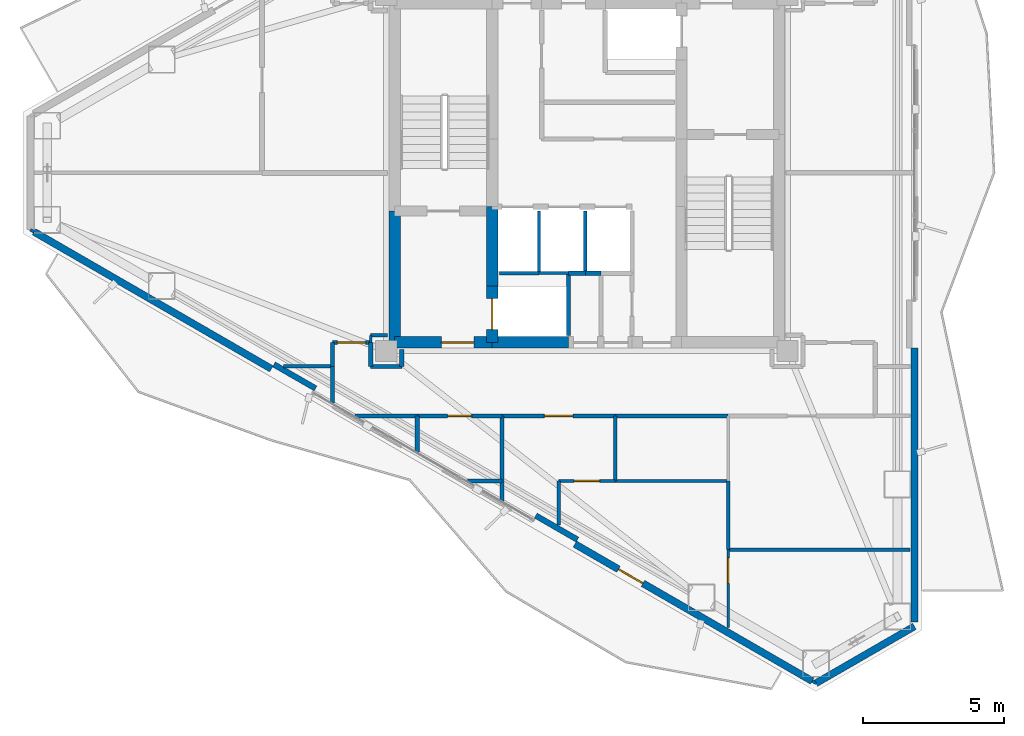
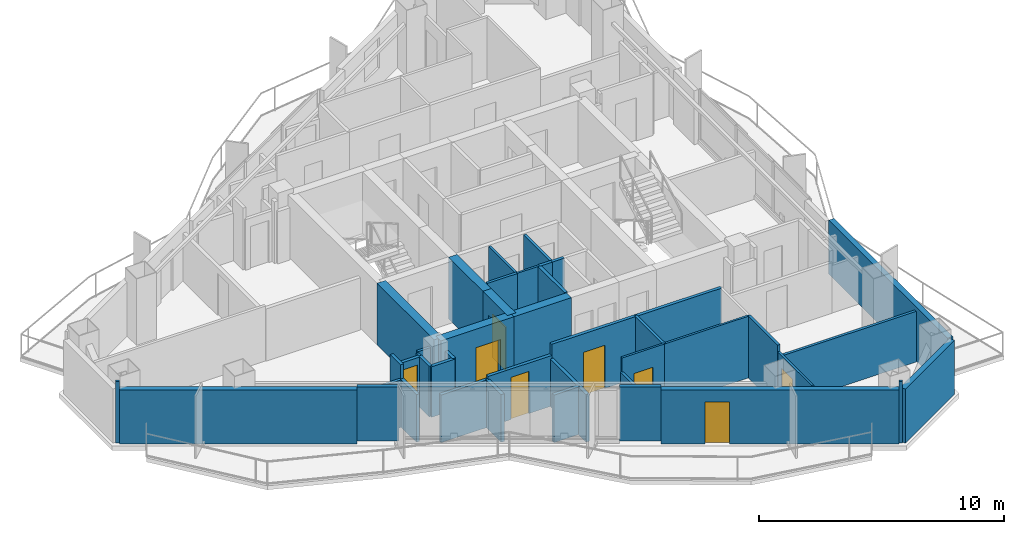
# One storey, part 16 of 21: 43 walls, 8 doors, 8 openings.
"""IFC4 building model written with IfcOpenShell, lengths in metres."""

from ifc_helpers import new_model, si_unit, direction, frame, frame_2d, origin, place, context, subcontext, project, spatial, rectangle, extrude, material, layer, layer_set, type_object, element, fill, save


model = new_model("IFC4")

# Units and contexts
model_context = context("Model", 3, precision=1e-05, world=origin(), true_north=direction((0.0, 1.0)))
body_context = subcontext(model_context, "Body", "Model", "MODEL_VIEW")
ifc_project = project(units=[si_unit("LENGTHUNIT", "METRE"), si_unit("AREAUNIT", "SQUARE_METRE"), si_unit("VOLUMEUNIT", "CUBIC_METRE"), si_unit("PLANEANGLEUNIT", "RADIAN"), si_unit("MASSUNIT", "GRAM", prefix="KILO")], contexts=[model_context])

# Site, building, storey
site_placement = place(None, origin())
site = spatial("IfcSite", under=ifc_project, at=site_placement, CompositionType="ELEMENT")
building_placement = place(site_placement, origin())
building = spatial("IfcBuilding", under=site, at=building_placement, Name="Mersakhor Tower and Convention Hall", CompositionType="ELEMENT")
storey_placement = place(building_placement, frame((0.0, 0.0, 178.800048828125)))
storey = spatial("IfcBuildingStorey", under=building, at=storey_placement, Name="L49", CompositionType="ELEMENT", Elevation=178.800048828125)

# Walls
ifc_material_1 = material(Name="Precast concrete C40/50", Category="concrete")
ifc_layer_1 = layer(ifc_material_1, 0.25)
ifc_layer_set_1 = layer_set([ifc_layer_1], Name="Precast concrete C40/50")
wall_type_1 = type_object("IfcWallType", Name="WL-EXT-250", PredefinedType="SOLIDWALL", material=ifc_layer_set_1)
wall_1_placement = place(storey_placement, frame((40.58837890625, 10.70166015625, 0.0), z_axis=(0.0, 0.0, 1.0), x_axis=(-0.866023907196, -0.500002592159, 0.0)))
element("IfcWall", 1, at=wall_1_placement, inside=storey, type_object=wall_type_1, Name="L49 Chamfer Braced Spandrel Wall C2", PredefinedType="SOLIDWALL", context=body_context, shape_type="SweptSolid", body=[
    extrude(rectangle(XDim=4.0234375, YDim=0.25, at=frame_2d((2.01171875, 0.0))), origin(), (0.0, 0.0, 1.0), 2.68994140625),
])
wall_2_placement = place(storey_placement, frame((40.58837890625, 20.550537109375, 0.0), z_axis=(0.0, 0.0, 1.0), x_axis=(0.0, -1.0, 0.0)))
element("IfcWall", 2, at=wall_2_placement, inside=storey, type_object=wall_type_1, Name="L49 Exterior Facade Wall F2-B3", PredefinedType="SOLIDWALL", context=body_context, shape_type="SweptSolid", body=[
    extrude(rectangle(XDim=9.698974609375, YDim=0.25, at=frame_2d((4.849609375, 0.0))), origin(), (0.0, 0.0, 1.0), 2.68994140625),
])

# Wall, opening, door
wall_3_placement = place(storey_placement, frame((36.97412109375, 8.764892578125, 0.0), z_axis=(0.0, 0.0, 1.0), x_axis=(-0.866016233231, 0.500015883528, 0.0)))
wall_3 = element("IfcWall", 3, at=wall_3_placement, inside=storey, type_object=wall_type_1, Name="L49 Exterior Facade Wall F3-B1", PredefinedType="SOLIDWALL", context=body_context, shape_type="SweptSolid", body=[
    extrude(rectangle(XDim=9.698974609375, YDim=0.25, at=frame_2d((4.849609375, 0.0))), origin(), (0.0, 0.0, 1.0), 2.68994140625),
])
opening_1_placement = place(wall_3_placement, frame((6.9189453125, 0.0, 0.0)))
opening_1 = element("IfcOpeningElement", 4, at=opening_1_placement, cuts=wall_3, Name="Opening BD-01", PredefinedType="OPENING", context=body_context, shape_type="SweptSolid", body=[
    extrude(rectangle(XDim=1.0, YDim=2.10009765625, at=frame_2d((0.5, 1.050048828125))), frame((0.0, 0.135009765625, 0.0), z_axis=(0.0, -1.0, 0.0), x_axis=(1.0, 0.0, 0.0)), (0.0, 0.0, 1.0), 0.27001953125),
])
ifc_material_2 = material(Name="Thermally broken dark aluminium and safety glass", Category="aluminium")
door_type_1 = type_object("IfcDoorType", Name="DR-BAL-100x210", OperationType="NOTDEFINED", PredefinedType="DOOR", material=ifc_material_2)
door_1_placement = place(opening_1_placement, origin())
door_1 = element("IfcDoor", 5, at=door_1_placement, inside=storey, type_object=door_type_1, Name="L49 Balcony Terrace Door F3-B1", OperationType="SINGLE_SWING_LEFT", OverallHeight=2.10009765625, OverallWidth=1.0, PredefinedType="DOOR", context=body_context, shape_type="SweptSolid", body=[
    extrude(rectangle(XDim=1.0, YDim=2.10009765625, at=frame_2d((0.5, 1.050048828125))), frame((0.0, 0.02490234375, 0.0), z_axis=(0.0, -1.0, 0.0), x_axis=(1.0, 0.0, 0.0)), (0.0, 0.0, 1.0), 0.050048828125),
])
fill(opening_1, door_1)

# Walls
wall_4_placement = place(storey_placement, frame((17.8369140625, 19.81396484375, 0.0), z_axis=(0.0, 0.0, 1.0), x_axis=(-0.866027133173, 0.499997004599, 0.0)))
element("IfcWall", 6, at=wall_4_placement, inside=storey, type_object=wall_type_1, Name="L49 Exterior Facade Wall F3-B3", PredefinedType="SOLIDWALL", context=body_context, shape_type="SweptSolid", body=[
    extrude(rectangle(XDim=9.69873046875, YDim=0.25, at=frame_2d((4.849365234375, 0.0))), origin(), (0.0, 0.0, 1.0), 2.68994140625),
])
ifc_material_3 = material(Name="Precast concrete C40/50", Category="concrete")
ifc_layer_2 = layer(ifc_material_3, 0.199951171875)
ifc_layer_set_2 = layer_set([ifc_layer_2], Name="Precast concrete C40/50")
wall_type_2 = type_object("IfcWallType", Name="WL-PAR-200", PredefinedType="PARAPET", material=ifc_layer_set_2)
wall_5_placement = place(storey_placement, frame((28.664794921875, 13.770263671875, 0.0), z_axis=(0.0, 0.0, 1.0), x_axis=(-0.866025371046, 0.500000056704, 0.0)))
element("IfcWall", 7, at=wall_5_placement, inside=storey, type_object=wall_type_2, Name="L49 Column Pier Cladding Wall F3-C1", PredefinedType="PARAPET", context=body_context, shape_type="SweptSolid", body=[
    extrude(rectangle(XDim=1.7001953125, YDim=0.199951171875, at=frame_2d((0.85009765625, 0.0))), origin(), (0.0, 0.0, 1.0), 2.68994140625),
])
wall_6_placement = place(storey_placement, frame((19.399169921875, 19.119873046875, 0.0), z_axis=(0.0, 0.0, 1.0), x_axis=(-0.86605165483, 0.499954529098, 0.0)))
element("IfcWall", 8, at=wall_6_placement, inside=storey, type_object=wall_type_2, Name="L49 Column Pier Cladding Wall F3-C2", PredefinedType="PARAPET", context=body_context, shape_type="SweptSolid", body=[
    extrude(rectangle(XDim=1.699951171875, YDim=0.199951171875, at=frame_2d((0.85009765625, 0.0))), origin(), (0.0, 0.0, 1.0), 2.68994140625),
])
ifc_material_4 = material(Name="Lightweight gypsum partition", Category="other")
ifc_layer_3 = layer(ifc_material_4, 0.10009765625)
ifc_layer_set_3 = layer_set([ifc_layer_3], Name="Lightweight gypsum partition")
wall_type_3 = type_object("IfcWallType", Name="WL-PRT-100", PredefinedType="PARTITIONING", material=ifc_layer_set_3)
wall_7_placement = place(storey_placement, frame((27.300048828125, 23.199951171875, 0.0), z_axis=(0.0, 0.0, 1.0), x_axis=(1.0, 0.0, 0.0)))
element("IfcWall", 9, at=wall_7_placement, inside=storey, type_object=wall_type_3, Name="L49 Interior Partition Wall P-002", PredefinedType="PARTITIONING", context=body_context, shape_type="SweptSolid", body=[
    extrude(rectangle(XDim=1.050048828125, YDim=0.10009765625, at=frame_2d((0.52490234375, 0.0))), origin(), (0.0, 0.0, 1.0), 3.070068359375),
])
wall_8_placement = place(storey_placement, frame((27.300048828125, 25.39990234375, 0.0), z_axis=(0.0, 0.0, 1.0), x_axis=(0.0, -1.0, 0.0)))
element("IfcWall", 10, at=wall_8_placement, inside=storey, type_object=wall_type_3, Name="L49 Interior Partition Wall P-006", PredefinedType="PARTITIONING", context=body_context, shape_type="SweptSolid", body=[
    extrude(rectangle(XDim=2.199951171875, YDim=0.10009765625, at=frame_2d((1.10009765625, 0.0))), origin(), (0.0, 0.0, 1.0), 3.070068359375),
])
wall_9_placement = place(storey_placement, frame((21.35009765625, 21.0, 0.0), z_axis=(0.0, 0.0, 1.0), x_axis=(0.0, -1.0, 0.0)))
element("IfcWall", 11, at=wall_9_placement, inside=storey, type_object=wall_type_3, Name="L49 Interior Partition Wall P-060", PredefinedType="PARTITIONING", context=body_context, shape_type="SweptSolid", body=[
    extrude(rectangle(XDim=0.25, YDim=0.10009765625, at=frame_2d((0.125, 0.0))), origin(), (0.0, 0.0, 1.0), 2.518310546875),
])
wall_10_placement = place(storey_placement, frame((9.437255859375, 24.662841796875, 0.0), z_axis=(0.0, 0.0, 1.0), x_axis=(-0.866239593359, 0.499628829129, 0.0)))
element("IfcWall", 12, at=wall_10_placement, inside=storey, type_object=wall_type_3, Name="L49 Interior Partition Wall P-062", PredefinedType="PARTITIONING", context=body_context, shape_type="SweptSolid", body=[
    extrude(rectangle(XDim=0.150390625, YDim=0.10009765625, at=frame_2d((0.0751953125, 0.0))), origin(), (0.0, 0.0, 1.0), 3.070068359375),
])

# Wall, opening, door
wall_11_placement = place(storey_placement, frame((30.0, 15.85009765625, 0.0), z_axis=(0.0, 0.0, 1.0), x_axis=(-1.0, 0.0, 0.0)))
wall_11 = element("IfcWall", 13, at=wall_11_placement, inside=storey, type_object=wall_type_3, Name="L49 Interior Partition Wall P-086", PredefinedType="PARTITIONING", context=body_context, shape_type="SweptSolid", body=[
    extrude(rectangle(XDim=2.0, YDim=0.10009765625, at=frame_2d((1.0, 0.0))), origin(), (0.0, 0.0, 1.0), 3.070068359375),
])
opening_2_placement = place(wall_11_placement, frame((0.550048828125, 0.0, 0.0)))
opening_2 = element("IfcOpeningElement", 14, at=opening_2_placement, cuts=wall_11, Name="Opening WD-01", PredefinedType="OPENING", context=body_context, shape_type="SweptSolid", body=[
    extrude(rectangle(XDim=0.89990234375, YDim=2.10009765625, at=frame_2d((0.449951171875, 1.050048828125))), frame((0.0, 0.06005859375, 0.0), z_axis=(0.0, -1.0, 0.0), x_axis=(1.0, 0.0, 0.0)), (0.0, 0.0, 1.0), 0.1201171875),
])
ifc_material_5 = material(Name="Solid-core hardwood leaf in painted steel frame", Category="steel")
door_type_2 = type_object("IfcDoorType", Name="DR-INT-WET-090x210", OperationType="NOTDEFINED", PredefinedType="DOOR", material=ifc_material_5)
door_2_placement = place(opening_2_placement, origin())
door_2 = element("IfcDoor", 15, at=door_2_placement, inside=storey, type_object=door_type_2, Name="L49 L49 Floor Shared Tea Pantry 2-2 to L49 Floor Residents Study Room 2-3 Door", OperationType="SINGLE_SWING_RIGHT", OverallHeight=2.10009765625, OverallWidth=0.89990234375, PredefinedType="DOOR", context=body_context, shape_type="SweptSolid", body=[
    extrude(rectangle(XDim=0.89990234375, YDim=2.10009765625, at=frame_2d((0.449951171875, 1.050048828125))), frame((0.0, 0.02490234375, 0.0), z_axis=(0.0, -1.0, 0.0), x_axis=(1.0, 0.0, 0.0)), (0.0, 0.0, 1.0), 0.050048828125),
])
fill(opening_2, door_2)

# Wall
wall_12_placement = place(storey_placement, frame((30.0, 15.85009765625, 0.0), z_axis=(0.0, 0.0, 1.0), x_axis=(1.0, 0.0, 0.0)))
element("IfcWall", 16, at=wall_12_placement, inside=storey, type_object=wall_type_3, Name="L49 Interior Partition Wall P-088", PredefinedType="PARTITIONING", context=body_context, shape_type="SweptSolid", body=[
    extrude(rectangle(XDim=4.0, YDim=0.10009765625, at=frame_2d((2.0, 0.0))), origin(), (0.0, 0.0, 1.0), 3.070068359375),
])

# Wall, opening, door
wall_13_placement = place(storey_placement, frame((34.0, 13.419921875, 0.0), z_axis=(0.0, 0.0, 1.0), x_axis=(0.0, -1.0, 0.0)))
wall_13 = element("IfcWall", 17, at=wall_13_placement, inside=storey, type_object=wall_type_3, Name="L49 Interior Partition Wall P-090", PredefinedType="PARTITIONING", context=body_context, shape_type="SweptSolid", body=[
    extrude(rectangle(XDim=2.765625, YDim=0.10009765625, at=frame_2d((1.3828125, 0.0))), origin(), (0.0, 0.0, 1.0), 2.734375),
])
opening_3_placement = place(wall_13_placement, frame((0.293212890625, 0.0, 0.0)))
opening_3 = element("IfcOpeningElement", 18, at=opening_3_placement, cuts=wall_13, Name="Opening WD-01", PredefinedType="OPENING", context=body_context, shape_type="SweptSolid", body=[
    extrude(rectangle(XDim=0.89990234375, YDim=2.10009765625, at=frame_2d((0.449951171875, 1.050048828125))), frame((0.0, 0.06005859375, 0.0), z_axis=(0.0, -1.0, 0.0), x_axis=(1.0, 0.0, 0.0)), (0.0, 0.0, 1.0), 0.1201171875),
])
door_3_placement = place(opening_3_placement, origin())
door_3 = element("IfcDoor", 19, at=door_3_placement, inside=storey, type_object=door_type_2, Name="L49 L49 Floor Residents Study Room 2-3 to L49 Floor Residents Study Room 2-4 Door", OperationType="SINGLE_SWING_LEFT", OverallHeight=2.10009765625, OverallWidth=0.89990234375, PredefinedType="DOOR", context=body_context, shape_type="SweptSolid", body=[
    extrude(rectangle(XDim=0.89990234375, YDim=2.10009765625, at=frame_2d((0.449951171875, 1.050048828125))), frame((0.0, 0.02490234375, 0.0), z_axis=(0.0, -1.0, 0.0), x_axis=(1.0, 0.0, 0.0)), (0.0, 0.0, 1.0), 0.050048828125),
])
fill(opening_3, door_3)

# Walls
wall_14_placement = place(storey_placement, frame((37.10400390625, 8.68994140625, 0.0), z_axis=(0.0, 0.0, 1.0), x_axis=(-0.866131372301, 0.499816412211, 0.0)))
element("IfcWall", 20, at=wall_14_placement, inside=storey, type_object=wall_type_3, Name="L49 Interior Partition Wall P-092", PredefinedType="PARTITIONING", context=body_context, shape_type="SweptSolid", body=[
    extrude(rectangle(XDim=0.14990234375, YDim=0.10009765625, at=frame_2d((0.074951171875, 0.0))), origin(), (0.0, 0.0, 1.0), 3.070068359375),
])
ifc_material_6 = material(Name="Gypsum board acoustic partition", Category="other")
ifc_layer_4 = layer(ifc_material_6, 0.125)
ifc_layer_set_4 = layer_set([ifc_layer_4], Name="Gypsum board acoustic partition")
wall_type_4 = type_object("IfcWallType", Name="WL-PRT-125", PredefinedType="PARTITIONING", material=ifc_layer_set_4)
wall_15_placement = place(storey_placement, frame((25.89990234375, 23.199951171875, 0.0), z_axis=(0.0, 0.0, 1.0), x_axis=(1.0, 0.0, 0.0)))
element("IfcWall", 21, at=wall_15_placement, inside=storey, type_object=wall_type_4, Name="L49 Interior Partition Wall P-001", PredefinedType="PARTITIONING", context=body_context, shape_type="SweptSolid", body=[
    extrude(rectangle(XDim=1.400146484375, YDim=0.125, at=frame_2d((0.7001953125, 0.0))), origin(), (0.0, 0.0, 1.0), 3.070068359375),
])
wall_16_placement = place(storey_placement, frame((28.949951171875, 25.39990234375, 0.0), z_axis=(0.0, 0.0, 1.0), x_axis=(0.0, -1.0, 0.0)))
element("IfcWall", 22, at=wall_16_placement, inside=storey, type_object=wall_type_4, Name="L49 Interior Partition Wall P-007", PredefinedType="PARTITIONING", context=body_context, shape_type="SweptSolid", body=[
    extrude(rectangle(XDim=2.199951171875, YDim=0.125, at=frame_2d((1.10009765625, 0.0))), origin(), (0.0, 0.0, 1.0), 3.070068359375),
])
wall_17_placement = place(storey_placement, frame((21.949951171875, 21.0, 0.0), z_axis=(0.0, 0.0, 1.0), x_axis=(-1.0, 0.0, 0.0)))
element("IfcWall", 23, at=wall_17_placement, inside=storey, type_object=wall_type_4, Name="L49 Interior Partition Wall P-059", PredefinedType="PARTITIONING", context=body_context, shape_type="SweptSolid", body=[
    extrude(rectangle(XDim=0.599853515625, YDim=0.125, at=frame_2d((0.2998046875, 0.0))), origin(), (0.0, 0.0, 1.0), 2.594970703125),
])
wall_18_placement = place(storey_placement, frame((20.0, 19.89990234375, 0.0), z_axis=(0.0, 0.0, 1.0), x_axis=(-1.0, 0.0, 0.0)))
element("IfcWall", 24, at=wall_18_placement, inside=storey, type_object=wall_type_4, Name="L49 Interior Partition Wall P-061", PredefinedType="PARTITIONING", context=body_context, shape_type="SweptSolid", body=[
    extrude(rectangle(XDim=1.726806640625, YDim=0.125, at=frame_2d((0.86328125, 0.0))), origin(), (0.0, 0.0, 1.0), 2.364990234375),
])
wall_19_placement = place(storey_placement, frame((30.0, 18.14990234375, 0.0), z_axis=(0.0, 0.0, 1.0), x_axis=(0.0, -1.0, 0.0)))
element("IfcWall", 25, at=wall_19_placement, inside=storey, type_object=wall_type_4, Name="L49 Interior Partition Wall P-085", PredefinedType="PARTITIONING", context=body_context, shape_type="SweptSolid", body=[
    extrude(rectangle(XDim=2.2998046875, YDim=0.125, at=frame_2d((1.14990234375, 0.0))), origin(), (0.0, 0.0, 1.0), 3.070068359375),
])
wall_20_placement = place(storey_placement, frame((28.0, 15.85009765625, 0.0), z_axis=(0.0, 0.0, 1.0), x_axis=(0.0, -1.0, 0.0)))
element("IfcWall", 26, at=wall_20_placement, inside=storey, type_object=wall_type_4, Name="L49 Interior Partition Wall P-087", PredefinedType="PARTITIONING", context=body_context, shape_type="SweptSolid", body=[
    extrude(rectangle(XDim=1.552978515625, YDim=0.125, at=frame_2d((0.7763671875, 0.0))), origin(), (0.0, 0.0, 1.0), 2.364990234375),
])
wall_21_placement = place(storey_placement, frame((34.0, 15.85009765625, 0.0), z_axis=(0.0, 0.0, 1.0), x_axis=(0.0, -1.0, 0.0)))
element("IfcWall", 27, at=wall_21_placement, inside=storey, type_object=wall_type_4, Name="L49 Interior Partition Wall P-089", PredefinedType="PARTITIONING", context=body_context, shape_type="SweptSolid", body=[
    extrude(rectangle(XDim=2.43017578125, YDim=0.125, at=frame_2d((1.215087890625, 0.0))), origin(), (0.0, 0.0, 1.0), 3.070068359375),
])
wall_22_placement = place(storey_placement, frame((34.0, 13.419921875, 0.0), z_axis=(0.0, 0.0, 1.0), x_axis=(1.0, 0.0, 0.0)))
element("IfcWall", 28, at=wall_22_placement, inside=storey, type_object=wall_type_4, Name="L49 Interior Partition Wall P-091", PredefinedType="PARTITIONING", context=body_context, shape_type="SweptSolid", body=[
    extrude(rectangle(XDim=6.439453125, YDim=0.125, at=frame_2d((3.2197265625, 0.0))), origin(), (0.0, 0.0, 1.0), 2.518310546875),
])
ifc_material_7 = material(Name="Fire-rated gypsum board stud partition", Category="other")
ifc_layer_5 = layer(ifc_material_7, 0.14990234375)
ifc_layer_set_5 = layer_set([ifc_layer_5], Name="Fire-rated gypsum board stud partition")
wall_type_5 = type_object("IfcWallType", Name="WL-PRT-150", PredefinedType="PARTITIONING", material=ifc_layer_set_5)
wall_23_placement = place(storey_placement, frame((28.35009765625, 23.199951171875, 0.0), z_axis=(0.0, 0.0, 1.0), x_axis=(0.0, -1.0, 0.0)))
element("IfcWall", 29, at=wall_23_placement, inside=storey, type_object=wall_type_5, Name="L49 Interior Partition Wall P-003", PredefinedType="PARTITIONING", context=body_context, shape_type="SweptSolid", body=[
    extrude(rectangle(XDim=2.199951171875, YDim=0.14990234375, at=frame_2d((1.10009765625, 0.0))), origin(), (0.0, 0.0, 1.0), 3.070068359375),
])
wall_24_placement = place(storey_placement, frame((28.949951171875, 23.199951171875, 0.0), z_axis=(0.0, 0.0, 1.0), x_axis=(-1.0, 0.0, 0.0)))
element("IfcWall", 30, at=wall_24_placement, inside=storey, type_object=wall_type_5, Name="L49 Interior Partition Wall P-008", PredefinedType="PARTITIONING", context=body_context, shape_type="SweptSolid", body=[
    extrude(rectangle(XDim=0.599853515625, YDim=0.14990234375, at=frame_2d((0.2998046875, 0.0))), origin(), (0.0, 0.0, 1.0), 3.070068359375),
])
wall_25_placement = place(storey_placement, frame((29.5, 23.199951171875, 0.0), z_axis=(0.0, 0.0, 1.0), x_axis=(-1.0, 0.0, 0.0)))
element("IfcWall", 31, at=wall_25_placement, inside=storey, type_object=wall_type_5, Name="L49 Interior Partition Wall P-011", PredefinedType="PARTITIONING", context=body_context, shape_type="SweptSolid", body=[
    extrude(rectangle(XDim=0.550048828125, YDim=0.14990234375, at=frame_2d((0.27490234375, 0.0))), origin(), (0.0, 0.0, 1.0), 3.070068359375),
])

# Wall, opening, door
wall_26_placement = place(storey_placement, frame((20.0, 20.75, 0.0), z_axis=(0.0, 0.0, 1.0), x_axis=(1.0, 0.0, 0.0)))
wall_26 = element("IfcWall", 32, at=wall_26_placement, inside=storey, type_object=wall_type_5, Name="L49 Interior Partition Wall P-033", PredefinedType="PARTITIONING", context=body_context, shape_type="SweptSolid", body=[
    extrude(rectangle(XDim=1.35009765625, YDim=0.14990234375, at=frame_2d((0.675048828125, 0.0))), origin(), (0.0, 0.0, 1.0), 2.518310546875),
])
opening_4_placement = place(wall_26_placement, frame((0.175048828125, 0.0, 0.0)))
opening_4 = element("IfcOpeningElement", 33, at=opening_4_placement, cuts=wall_26, Name="Opening FD-01", PredefinedType="OPENING", context=body_context, shape_type="SweptSolid", body=[
    extrude(rectangle(XDim=1.0, YDim=2.14990234375, at=frame_2d((0.5, 1.074951171875))), frame((0.0, 0.0849609375, 0.0), z_axis=(0.0, -1.0, 0.0), x_axis=(1.0, 0.0, 0.0)), (0.0, 0.0, 1.0), 0.169921875),
])
ifc_material_8 = material(Name="Fire-rated hardwood leaf and painted steel frame", Category="steel")
door_type_3 = type_object("IfcDoorType", Name="DR-INT-FLT-100x215", OperationType="NOTDEFINED", PredefinedType="DOOR", material=ifc_material_8)
door_4_placement = place(opening_4_placement, origin())
door_4 = element("IfcDoor", 34, at=door_4_placement, inside=storey, type_object=door_type_3, Name="L49 Residential South Gallery Corridor to L49 West Wing Co-Working Office Door", OperationType="SINGLE_SWING_RIGHT", OverallHeight=2.14990234375, OverallWidth=1.0, PredefinedType="DOOR", context=body_context, shape_type="SweptSolid", body=[
    extrude(rectangle(XDim=1.0, YDim=2.14990234375, at=frame_2d((0.5, 1.074951171875))), frame((0.0, 0.02490234375, 0.0), z_axis=(0.0, -1.0, 0.0), x_axis=(1.0, 0.0, 0.0)), (0.0, 0.0, 1.0), 0.050048828125),
])
fill(opening_4, door_4)

# Walls
wall_27_placement = place(storey_placement, frame((21.35009765625, 20.75, 0.0), z_axis=(0.0, 0.0, 1.0), x_axis=(0.0, -1.0, 0.0)))
element("IfcWall", 35, at=wall_27_placement, inside=storey, type_object=wall_type_5, Name="L49 Interior Partition Wall P-034", PredefinedType="PARTITIONING", context=body_context, shape_type="SweptSolid", body=[
    extrude(rectangle(XDim=0.85009765625, YDim=0.14990234375, at=frame_2d((0.425048828125, 0.0))), origin(), (0.0, 0.0, 1.0), 2.518310546875),
])
wall_28_placement = place(storey_placement, frame((21.35009765625, 19.89990234375, 0.0), z_axis=(0.0, 0.0, 1.0), x_axis=(1.0, 0.0, 0.0)))
element("IfcWall", 36, at=wall_28_placement, inside=storey, type_object=wall_type_5, Name="L49 Interior Partition Wall P-035", PredefinedType="PARTITIONING", context=body_context, shape_type="SweptSolid", body=[
    extrude(rectangle(XDim=1.099853515625, YDim=0.14990234375, at=frame_2d((0.5498046875, 0.0))), origin(), (0.0, 0.0, 1.0), 2.518310546875),
])
wall_29_placement = place(storey_placement, frame((22.449951171875, 19.89990234375, 0.0), z_axis=(0.0, 0.0, 1.0), x_axis=(0.0, 1.0, 0.0)))
element("IfcWall", 37, at=wall_29_placement, inside=storey, type_object=wall_type_5, Name="L49 Interior Partition Wall P-036", PredefinedType="PARTITIONING", context=body_context, shape_type="SweptSolid", body=[
    extrude(rectangle(XDim=0.60009765625, YDim=0.14990234375, at=frame_2d((0.300048828125, 0.0))), origin(), (0.0, 0.0, 1.0), 2.518310546875),
])
wall_30_placement = place(storey_placement, frame((34.0, 18.14990234375, 0.0), z_axis=(0.0, 0.0, 1.0), x_axis=(-1.0, 0.0, 0.0)))
element("IfcWall", 38, at=wall_30_placement, inside=storey, type_object=wall_type_5, Name="L49 Interior Partition Wall P-044", PredefinedType="PARTITIONING", context=body_context, shape_type="SweptSolid", body=[
    extrude(rectangle(XDim=4.0, YDim=0.14990234375, at=frame_2d((2.0, 0.0))), origin(), (0.0, 0.0, 1.0), 3.070068359375),
])

# Wall, opening, door
wall_31_placement = place(storey_placement, frame((30.0, 18.14990234375, 0.0), z_axis=(0.0, 0.0, 1.0), x_axis=(-1.0, 0.0, 0.0)))
wall_31 = element("IfcWall", 39, at=wall_31_placement, inside=storey, type_object=wall_type_5, Name="L49 Interior Partition Wall P-045", PredefinedType="PARTITIONING", context=body_context, shape_type="SweptSolid", body=[
    extrude(rectangle(XDim=4.0, YDim=0.14990234375, at=frame_2d((2.0, 0.0))), origin(), (0.0, 0.0, 1.0), 3.070068359375),
])
opening_5_placement = place(wall_31_placement, frame((1.5, 0.0, 0.0)))
opening_5 = element("IfcOpeningElement", 40, at=opening_5_placement, cuts=wall_31, Name="Opening FD-01", PredefinedType="OPENING", context=body_context, shape_type="SweptSolid", body=[
    extrude(rectangle(XDim=1.0, YDim=2.14990234375, at=frame_2d((0.5, 1.074951171875))), frame((0.0, 0.0849609375, 0.0), z_axis=(0.0, -1.0, 0.0), x_axis=(1.0, 0.0, 0.0)), (0.0, 0.0, 1.0), 0.169921875),
])
door_5_placement = place(opening_5_placement, origin())
door_5 = element("IfcDoor", 41, at=door_5_placement, inside=storey, type_object=door_type_3, Name="L49 Residential South Gallery Corridor to L49 Floor Shared Tea Pantry 2-2 Door", OperationType="SINGLE_SWING_LEFT", OverallHeight=2.14990234375, OverallWidth=1.0, PredefinedType="DOOR", context=body_context, shape_type="SweptSolid", body=[
    extrude(rectangle(XDim=1.0, YDim=2.14990234375, at=frame_2d((0.5, 1.074951171875))), frame((0.0, 0.02490234375, 0.0), z_axis=(0.0, -1.0, 0.0), x_axis=(1.0, 0.0, 0.0)), (0.0, 0.0, 1.0), 0.050048828125),
])
fill(opening_5, door_5)

wall_32_placement = place(storey_placement, frame((26.0, 18.14990234375, 0.0), z_axis=(0.0, 0.0, 1.0), x_axis=(-1.0, 0.0, 0.0)))
wall_32 = element("IfcWall", 42, at=wall_32_placement, inside=storey, type_object=wall_type_5, Name="L49 Interior Partition Wall P-046", PredefinedType="PARTITIONING", context=body_context, shape_type="SweptSolid", body=[
    extrude(rectangle(XDim=3.0, YDim=0.14990234375, at=frame_2d((1.5, 0.0))), origin(), (0.0, 0.0, 1.0), 2.518310546875),
])
opening_6_placement = place(wall_32_placement, frame((1.074951171875, 0.0, 0.0)))
opening_6 = element("IfcOpeningElement", 43, at=opening_6_placement, cuts=wall_32, Name="Opening SVD-01", PredefinedType="OPENING", context=body_context, shape_type="SweptSolid", body=[
    extrude(rectangle(XDim=0.85009765625, YDim=2.10009765625, at=frame_2d((0.425048828125, 1.050048828125))), frame((0.0, 0.0849609375, 0.0), z_axis=(0.0, -1.0, 0.0), x_axis=(1.0, 0.0, 0.0)), (0.0, 0.0, 1.0), 0.169921875),
])
ifc_material_9 = material(Name="Fire-rated hardwood leaf and painted steel frame", Category="steel")
door_type_4 = type_object("IfcDoorType", Name="DR-INT-SVC-085x210", OperationType="NOTDEFINED", PredefinedType="DOOR", material=ifc_material_9)
door_6_placement = place(opening_6_placement, origin())
door_6 = element("IfcDoor", 44, at=door_6_placement, inside=storey, type_object=door_type_4, Name="L49 Residential South Gallery Corridor to L49 Floor Household Store Room 2-1 Door", OperationType="SINGLE_SWING_RIGHT", OverallHeight=2.10009765625, OverallWidth=0.85009765625, PredefinedType="DOOR", context=body_context, shape_type="SweptSolid", body=[
    extrude(rectangle(XDim=0.85009765625, YDim=2.10009765625, at=frame_2d((0.425048828125, 1.050048828125))), frame((0.0, 0.02490234375, 0.0), z_axis=(0.0, -1.0, 0.0), x_axis=(1.0, 0.0, 0.0)), (0.0, 0.0, 1.0), 0.050048828125),
])
fill(opening_6, door_6)

# Walls
wall_33_placement = place(storey_placement, frame((23.0, 18.14990234375, 0.0), z_axis=(0.0, 0.0, 1.0), x_axis=(-1.0, 0.0, 0.0)))
element("IfcWall", 45, at=wall_33_placement, inside=storey, type_object=wall_type_5, Name="L49 Interior Partition Wall P-047", PredefinedType="PARTITIONING", context=body_context, shape_type="SweptSolid", body=[
    extrude(rectangle(XDim=2.2119140625, YDim=0.14990234375, at=frame_2d((1.10595703125, 0.0))), origin(), (0.0, 0.0, 1.0), 2.364990234375),
])
wall_34_placement = place(storey_placement, frame((20.0, 18.60888671875, 0.0), z_axis=(0.0, 0.0, 1.0), x_axis=(0.0, 1.0, 0.0)))
element("IfcWall", 46, at=wall_34_placement, inside=storey, type_object=wall_type_5, Name="L49 Interior Partition Wall P-048", PredefinedType="PARTITIONING", context=body_context, shape_type="SweptSolid", body=[
    extrude(rectangle(XDim=1.291015625, YDim=0.14990234375, at=frame_2d((0.6455078125, 0.0))), origin(), (0.0, 0.0, 1.0), 2.364990234375),
])
wall_35_placement = place(storey_placement, frame((20.0, 19.89990234375, 0.0), z_axis=(0.0, 0.0, 1.0), x_axis=(0.0, 1.0, 0.0)))
element("IfcWall", 47, at=wall_35_placement, inside=storey, type_object=wall_type_5, Name="L49 Interior Partition Wall P-049", PredefinedType="PARTITIONING", context=body_context, shape_type="SweptSolid", body=[
    extrude(rectangle(XDim=0.85009765625, YDim=0.14990234375, at=frame_2d((0.425048828125, 0.0))), origin(), (0.0, 0.0, 1.0), 3.070068359375),
])
wall_36_placement = place(storey_placement, frame((26.0, 18.14990234375, 0.0), z_axis=(0.0, 0.0, 1.0), x_axis=(0.0, -1.0, 0.0)))
element("IfcWall", 48, at=wall_36_placement, inside=storey, type_object=wall_type_5, Name="L49 Interior Partition Wall P-082", PredefinedType="PARTITIONING", context=body_context, shape_type="SweptSolid", body=[
    extrude(rectangle(XDim=3.005126953125, YDim=0.14990234375, at=frame_2d((1.50244140625, 0.0))), origin(), (0.0, 0.0, 1.0), 2.364990234375),
])
wall_37_placement = place(storey_placement, frame((26.0, 15.85009765625, 0.0), z_axis=(0.0, 0.0, 1.0), x_axis=(-1.0, 0.0, 0.0)))
element("IfcWall", 49, at=wall_37_placement, inside=storey, type_object=wall_type_5, Name="L49 Interior Partition Wall P-083", PredefinedType="PARTITIONING", context=body_context, shape_type="SweptSolid", body=[
    extrude(rectangle(XDim=1.228515625, YDim=0.14990234375, at=frame_2d((0.6142578125, 0.0))), origin(), (0.0, 0.0, 1.0), 2.364990234375),
])
wall_38_placement = place(storey_placement, frame((23.0, 16.876953125, 0.0), z_axis=(0.0, 0.0, 1.0), x_axis=(0.0, 1.0, 0.0)))
element("IfcWall", 50, at=wall_38_placement, inside=storey, type_object=wall_type_5, Name="L49 Interior Partition Wall P-084", PredefinedType="PARTITIONING", context=body_context, shape_type="SweptSolid", body=[
    extrude(rectangle(XDim=1.27294921875, YDim=0.14990234375, at=frame_2d((0.636474609375, 0.0))), origin(), (0.0, 0.0, 1.0), 2.364990234375),
])
ifc_material_10 = material(Name="Concrete C60/75", Category="concrete")
ifc_layer_6 = layer(ifc_material_10, 0.39990234375)
ifc_layer_set_6 = layer_set([ifc_layer_6], Name="Concrete C60/75")
wall_type_6 = type_object("IfcWallType", Name="WL-SHR-400", PredefinedType="SHEAR", material=ifc_layer_set_6)
wall_39_placement = place(storey_placement, frame((22.199951171875, 20.75, 0.0), z_axis=(0.0, 0.0, 1.0), x_axis=(0.0, 1.0, 0.0)))
element("IfcWall", 51, at=wall_39_placement, inside=storey, type_object=wall_type_6, Name="L49 Core Wall CW-W1", PredefinedType="SHEAR", context=body_context, shape_type="SweptSolid", body=[
    extrude(rectangle(XDim=4.64990234375, YDim=0.39990234375, at=frame_2d((2.324951171875, 0.0))), origin(), (0.0, 0.0, 1.0), 3.070068359375),
])
wall_40_placement = place(storey_placement, frame((28.35009765625, 20.75, 0.0), z_axis=(0.0, 0.0, 1.0), x_axis=(-1.0, 0.0, 0.0)))
element("IfcWall", 52, at=wall_40_placement, inside=storey, type_object=wall_type_6, Name="L49 Core Wall CW-S3", PredefinedType="SHEAR", context=body_context, shape_type="SweptSolid", body=[
    extrude(rectangle(XDim=2.7001953125, YDim=0.39990234375, at=frame_2d((1.35009765625, 0.0))), origin(), (0.0, 0.0, 1.0), 3.070068359375),
])

# Wall, opening, door
wall_41_placement = place(storey_placement, frame((25.64990234375, 20.75, 0.0), z_axis=(0.0, 0.0, 1.0), x_axis=(-1.0, 0.0, 0.0)))
wall_41 = element("IfcWall", 53, at=wall_41_placement, inside=storey, type_object=wall_type_6, Name="L49 Core Wall CW-S4", PredefinedType="SHEAR", context=body_context, shape_type="SweptSolid", body=[
    extrude(rectangle(XDim=3.449951171875, YDim=0.39990234375, at=frame_2d((1.72509765625, 0.0))), origin(), (0.0, 0.0, 1.0), 3.070068359375),
])
opening_7_placement = place(wall_41_placement, frame((0.64990234375, 0.0, 0.0)))
opening_7 = element("IfcOpeningElement", 54, at=opening_7_placement, cuts=wall_41, Name="Opening SD-01", PredefinedType="OPENING", context=body_context, shape_type="SweptSolid", body=[
    extrude(rectangle(XDim=1.14990234375, YDim=2.14990234375, at=frame_2d((0.574951171875, 1.074951171875))), frame((0.0, 0.2099609375, 0.0), z_axis=(0.0, -1.0, 0.0), x_axis=(1.0, 0.0, 0.0)), (0.0, 0.0, 1.0), 0.419921875),
])
ifc_material_11 = material(Name="Fire-rated hardwood leaf and painted steel frame", Category="steel")
door_type_5 = type_object("IfcDoorType", Name="DR-INT-STAIR-115x215", OperationType="NOTDEFINED", PredefinedType="DOOR", material=ifc_material_11)
door_7_placement = place(opening_7_placement, origin())
door_7 = element("IfcDoor", 55, at=door_7_placement, inside=storey, type_object=door_type_5, Name="L49 Firefighting Lobby West Fire Door", OperationType="SINGLE_SWING_LEFT", OverallHeight=2.14990234375, OverallWidth=1.14990234375, PredefinedType="DOOR", context=body_context, shape_type="SweptSolid", body=[
    extrude(rectangle(XDim=1.14990234375, YDim=2.14990234375, at=frame_2d((0.574951171875, 1.074951171875))), frame((0.0, 0.02490234375, 0.0), z_axis=(0.0, -1.0, 0.0), x_axis=(1.0, 0.0, 0.0)), (0.0, 0.0, 1.0), 0.050048828125),
])
fill(opening_7, door_7)

wall_42_placement = place(storey_placement, frame((25.64990234375, 20.75, 0.0), z_axis=(0.0, 0.0, 1.0), x_axis=(0.0, 1.0, 0.0)))
wall_42 = element("IfcWall", 56, at=wall_42_placement, inside=storey, type_object=wall_type_6, Name="L49 Core Wall CS-W-FFL", PredefinedType="SHEAR", context=body_context, shape_type="SweptSolid", body=[
    extrude(rectangle(XDim=2.0, YDim=0.39990234375, at=frame_2d((1.0, 0.0))), origin(), (0.0, 0.0, 1.0), 3.070068359375),
])
opening_8_placement = place(wall_42_placement, frame((0.449951171875, 0.0, 0.0)))
opening_8 = element("IfcOpeningElement", 57, at=opening_8_placement, cuts=wall_42, Name="Opening LD-FFL1", PredefinedType="OPENING", context=body_context, shape_type="SweptSolid", body=[
    extrude(rectangle(XDim=1.10009765625, YDim=2.14990234375, at=frame_2d((0.550048828125, 1.074951171875))), frame((0.0, 0.2099609375, 0.0), z_axis=(0.0, -1.0, 0.0), x_axis=(1.0, 0.0, 0.0)), (0.0, 0.0, 1.0), 0.419921875),
])
ifc_material_12 = material(Name="Fire-rated brushed stainless steel sliding landing door", Category="steel")
door_type_6 = type_object("IfcDoorType", Name="DR-LIFT-SLD-110x215", OperationType="NOTDEFINED", PredefinedType="DOOR", material=ifc_material_12)
door_8_placement = place(opening_8_placement, origin())
door_8 = element("IfcDoor", 58, at=door_8_placement, inside=storey, type_object=door_type_6, Name="L49 Firefighting Lift Landing Door LD-FFL1", OperationType="SLIDING_TO_LEFT", OverallHeight=2.14990234375, OverallWidth=1.10009765625, PredefinedType="DOOR", context=body_context, shape_type="SweptSolid", body=[
    extrude(rectangle(XDim=1.10009765625, YDim=2.14990234375, at=frame_2d((0.550048828125, 1.074951171875))), frame((0.0, 0.02490234375, 0.0), z_axis=(0.0, -1.0, 0.0), x_axis=(1.0, 0.0, 0.0)), (0.0, 0.0, 1.0), 0.050048828125),
])
fill(opening_8, door_8)

# Wall
wall_43_placement = place(storey_placement, frame((25.64990234375, 22.75, 0.0), z_axis=(0.0, 0.0, 1.0), x_axis=(0.0, 1.0, 0.0)))
element("IfcWall", 59, at=wall_43_placement, inside=storey, type_object=wall_type_6, Name="L49 Core Wall CS-W-MID", PredefinedType="SHEAR", context=body_context, shape_type="SweptSolid", body=[
    extrude(rectangle(XDim=2.800048828125, YDim=0.39990234375, at=frame_2d((1.39990234375, 0.0))), origin(), (0.0, 0.0, 1.0), 3.070068359375),
])

save(model, "model.ifc")
